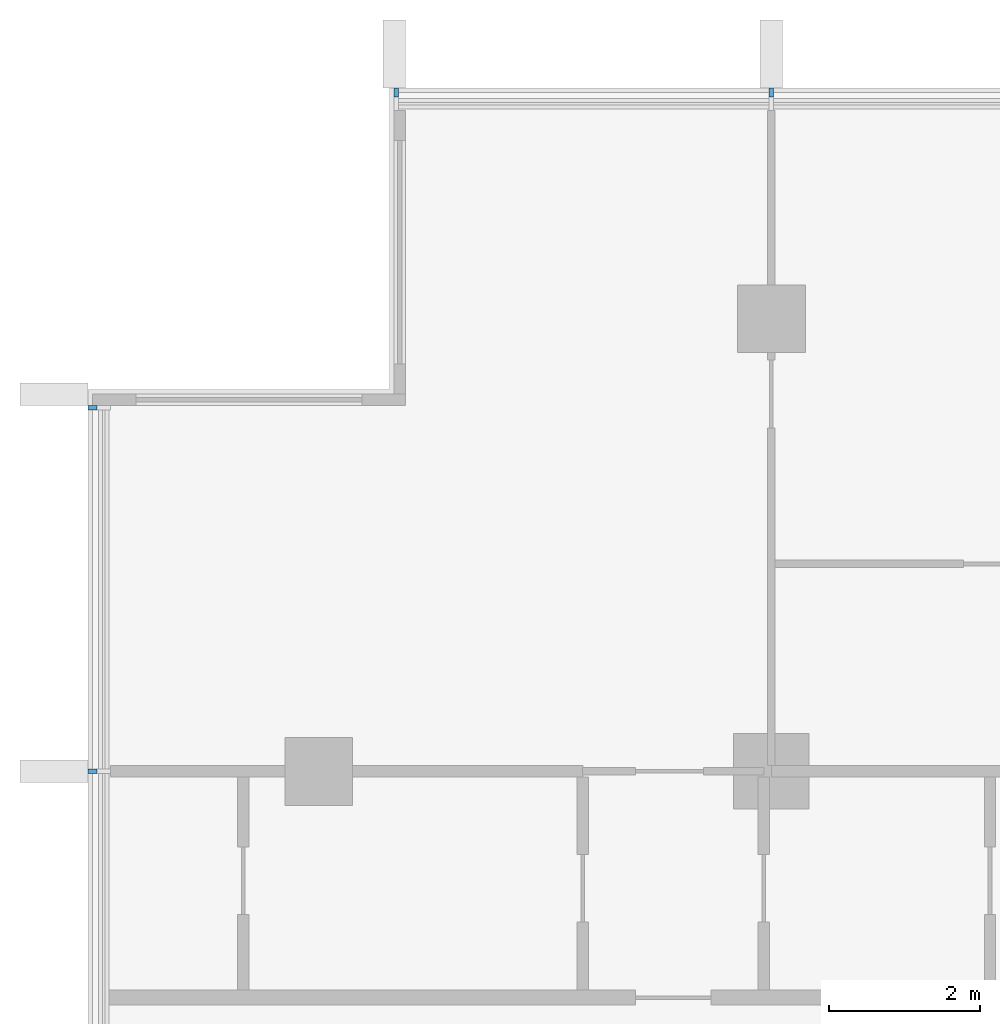
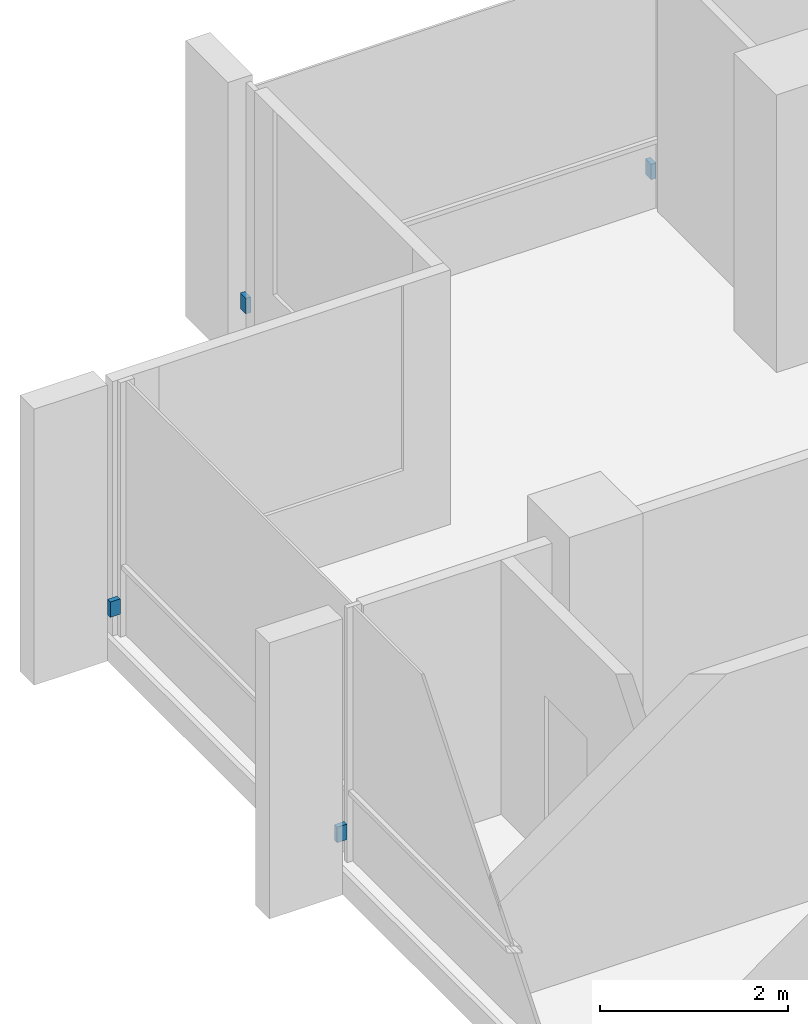
# One storey, part 15 of 17: 4 discrete accessories.
"""IFC4 building model written with IfcOpenShell, lengths in metres."""

from ifc_helpers import new_model, si_unit, direction, frame, origin, origin_2d, place, context, subcontext, project, spatial, rectangle, extrude, material, type_object, element, save


model = new_model("IFC4")

# Units and contexts
model_context = context("Model", 3, precision=1e-05, world=origin(), true_north=direction((0.0, 1.0)))
body_context = subcontext(model_context, "Body", "Model", "MODEL_VIEW")
ifc_project = project(units=[si_unit("LENGTHUNIT", "METRE"), si_unit("AREAUNIT", "SQUARE_METRE"), si_unit("VOLUMEUNIT", "CUBIC_METRE"), si_unit("PLANEANGLEUNIT", "RADIAN"), si_unit("MASSUNIT", "GRAM", prefix="KILO")], contexts=[model_context])

# Site, building, storey
site_placement = place(None, origin())
site = spatial("IfcSite", under=ifc_project, at=site_placement, CompositionType="ELEMENT")
building_placement = place(site_placement, origin())
building = spatial("IfcBuilding", under=site, at=building_placement, Name="Finial Court Residences", CompositionType="ELEMENT")
storey_placement = place(building_placement, frame((0.0, 0.0, 192.5)))
storey = spatial("IfcBuildingStorey", under=building, at=storey_placement, Name="L48", CompositionType="ELEMENT", Elevation=192.5)

# Discrete accessories
ifc_material = material(Name="Stainless steel 316", Category="steel")
discrete_accessory_type = type_object("IfcDiscreteAccessoryType", Name="Fin bracket, stainless steel 60 x 122 x 200", PredefinedType="BRACKET", material=ifc_material)
for number, where, z_axis, x_axis, name in (
    (1, (-15.469970703125, 22.498779296875, 0.2998046875), (0.0, 0.0, 1.0), (1.0, 0.0, 0.0), "E-L48-FIN-N1-BRK"),
    (2, (-10.5, 22.498779296875, 0.2998046875), (0.0, 0.0, 1.0), (1.0, 0.0, 0.0), "E-L48-FIN-N2-BRK"),
):
    element("IfcDiscreteAccessory", number, at=place(storey_placement, frame(where, z_axis=z_axis, x_axis=x_axis)), inside=storey, type_object=discrete_accessory_type, Name=name, PredefinedType="BRACKET", context=body_context, shape_type="SweptSolid", body=[
        extrude(rectangle(XDim=0.06005859375, YDim=0.12255859375, at=origin_2d()), origin(), (0.0, 0.0, 1.0), 0.199951171875),
    ])
for number, where, z_axis, x_axis, name in (
    (3, (-19.498779296875, 13.5, 0.2998046875), (0.0, 0.0, 1.0), (1.0, 0.0, 0.0), "E-L48-FIN-W27-BRK"),
    (4, (-19.498779296875, 18.320068359375, 0.2998046875), (0.0, 0.0, 1.0), (1.0, 0.0, 0.0), "E-L48-FIN-W28-BRK"),
):
    element("IfcDiscreteAccessory", number, at=place(storey_placement, frame(where, z_axis=z_axis, x_axis=x_axis)), inside=storey, type_object=discrete_accessory_type, Name=name, PredefinedType="BRACKET", context=body_context, shape_type="SweptSolid", body=[
        extrude(rectangle(XDim=0.12255859375, YDim=0.06005859375, at=origin_2d()), origin(), (0.0, 0.0, 1.0), 0.199951171875),
    ])

save(model, "model.ifc")
